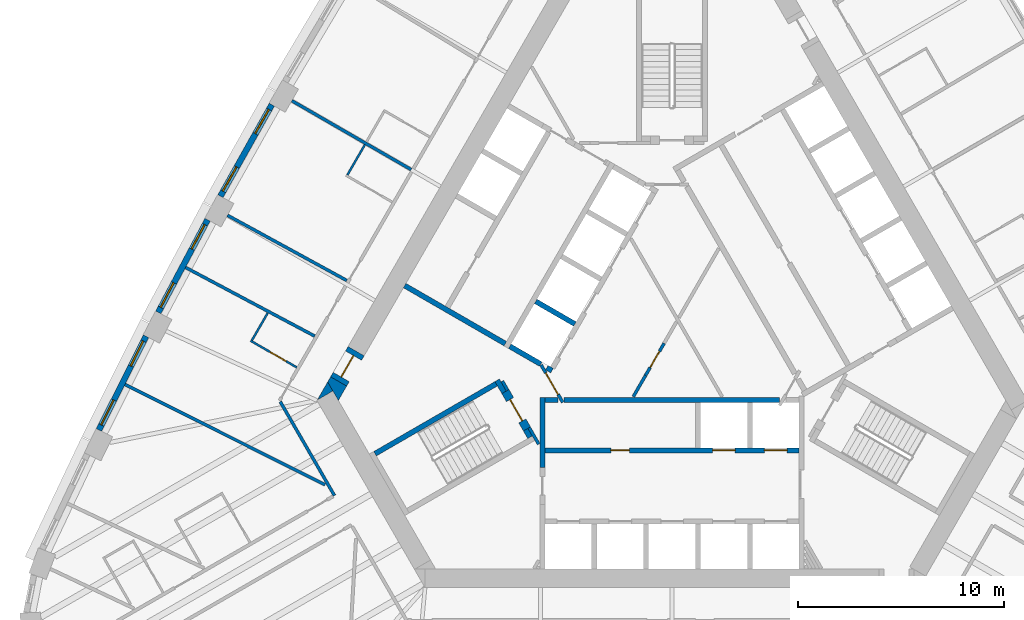
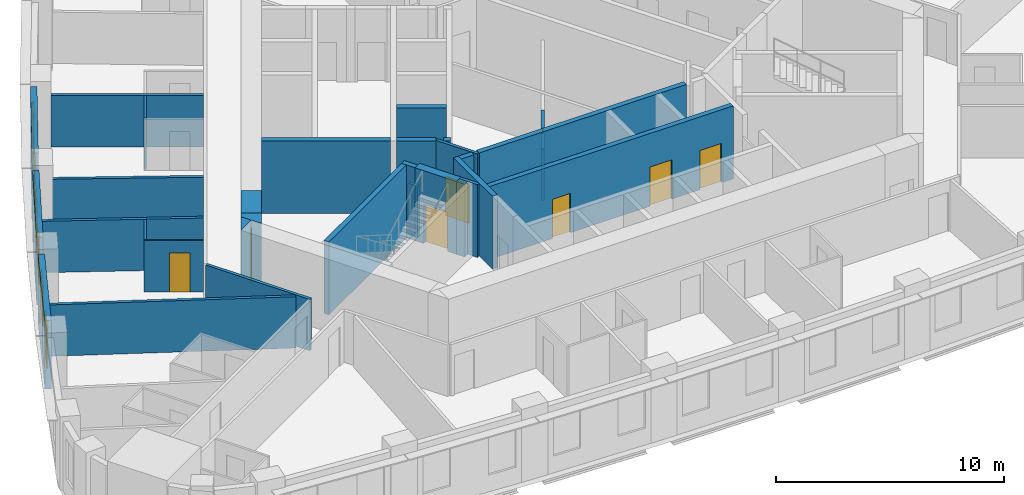
# One storey, part 5 of 13: 31 walls, 8 doors, 6 windows, 14 openings.
"""IFC4 building model written with IfcOpenShell, lengths in metres."""

import ifcopenshell
import ifcopenshell.guid

model = None  # the IFC model being written
_history = None  # IfcOwnerHistory: only IFC2X3 demands one
_inside = {}  # id of a spatial element -> (the spatial element, [elements in it])
_under = {}  # id of a project, library or spatial element -> (it, [spatial elements below it])
_declared = {}  # id of a project -> (the project, [libraries it declares])
_typed = {}  # id of a type object -> (the type object, [elements of that type])
_made_of = {}  # id of a material, layer set ... -> (it, [elements and type objects made of it])


def new_model(schema):
    """Start an empty IFC model of exactly this schema.

    Asked for "IFC4X3", IfcOpenShell would pick the latest addendum, in which some entities
    have other attributes; the version numbers below select the first issue.
    IFC2X3 requires an IfcOwnerHistory on every rooted entity: one is made here for all.
    """
    global model, _history
    if schema == "IFC4X3":
        model = ifcopenshell.file(schema_version=(4, 3, 0, 0))
    else:
        model = ifcopenshell.file(schema=schema)
    _inside.clear()
    _under.clear()
    _declared.clear()
    _typed.clear()
    _made_of.clear()
    _history = None
    if model.schema == "IFC2X3":
        org = make("IfcOrganization", Name="unknown")
        user = make(
            "IfcPersonAndOrganization",
            ThePerson=make("IfcPerson", FamilyName="unknown"),
            TheOrganization=org,
        )
        app = make(
            "IfcApplication",
            ApplicationDeveloper=org,
            Version="unknown",
            ApplicationFullName="unknown",
            ApplicationIdentifier="unknown",
        )
        _history = make(
            "IfcOwnerHistory",
            OwningUser=user,
            OwningApplication=app,
            ChangeAction="ADDED",
            CreationDate=0,
        )
    return model


def make(cls, **values):
    """One entity of the class cls with the attributes given. An attribute that is None is left unset."""
    return model.create_entity(
        cls, **{name: value for name, value in values.items() if value is not None}
    )


def rooted(cls, **values):
    """An entity with a GlobalId (a new one), such as an element, a storey or a relation."""
    return make(cls, GlobalId=ifcopenshell.guid.new(), OwnerHistory=_history, **values)


def si_unit(unit_type, name, prefix=None):
    """IfcSIUnit, for example si_unit("LENGTHUNIT", "METRE", prefix="MILLI")."""
    return make("IfcSIUnit", UnitType=unit_type, Prefix=prefix, Name=name)


def assignment(units):
    """IfcUnitAssignment: the units of a project."""
    return None if units is None else make("IfcUnitAssignment", Units=units)


def point(xyz):
    """IfcCartesianPoint."""
    return None if xyz is None else make("IfcCartesianPoint", Coordinates=xyz)


def direction(xyz):
    """IfcDirection."""
    return None if xyz is None else make("IfcDirection", DirectionRatios=xyz)


def frame(location, z_axis=None, x_axis=None):
    """IfcAxis2Placement3D, a coordinate frame: its origin and axes. An axis left out is left unset."""
    return make(
        "IfcAxis2Placement3D",
        Location=point(location),
        Axis=direction(z_axis),
        RefDirection=direction(x_axis),
    )


def frame_2d(location, x_axis=None):
    """IfcAxis2Placement2D, a coordinate frame in the plane: its origin and x axis."""
    return make(
        "IfcAxis2Placement2D", Location=point(location), RefDirection=direction(x_axis)
    )


def origin():
    """The frame at (0, 0, 0) with its axes left unset."""
    return frame((0.0, 0.0, 0.0))


def place(relative_to, where):
    """IfcLocalPlacement: puts the frame where relative to a parent placement (None: the world)."""
    return make(
        "IfcLocalPlacement", PlacementRelTo=relative_to, RelativePlacement=where
    )


def context(
    kind, dimensions, precision=None, world=None, true_north=None, identifier=None
):
    """IfcGeometricRepresentationContext, for example the 3D "Model" context."""
    return make(
        "IfcGeometricRepresentationContext",
        ContextIdentifier=identifier,
        ContextType=kind,
        CoordinateSpaceDimension=dimensions,
        Precision=precision,
        WorldCoordinateSystem=world,
        TrueNorth=true_north,
    )


def subcontext(parent, identifier, kind, view, scale=None):
    """IfcGeometricRepresentationSubContext, for example "Body" below "Model"."""
    return make(
        "IfcGeometricRepresentationSubContext",
        ContextIdentifier=identifier,
        ContextType=kind,
        ParentContext=parent,
        TargetScale=scale,
        TargetView=view,
    )


def project(units=None, contexts=None):
    """IfcProject with its units and contexts."""
    return rooted(
        "IfcProject",
        Name="project",
        RepresentationContexts=contexts,
        UnitsInContext=assignment(units),
    )


def spatial(cls, under=None, at=None, **own):
    """A site, building, storey or space (cls), placed at a placement, below another one or the project."""
    s = rooted(cls, ObjectPlacement=at, **own)
    if under is not None:
        _under.setdefault(under.id(), (under, []))[1].append(s)
    return s


def polyline(points):
    """IfcPolyline through the points."""
    return make("IfcPolyline", Points=[point(p) for p in points])


def profile(cls, at=None, kind="AREA", **sizes):
    """A parametric profile (cls). Its sizes go by their IFC names, for example OverallWidth=200.0."""
    return make(cls, ProfileType=kind, Position=at, **sizes)


def rectangle(**sizes):
    """IfcRectangleProfileDef."""
    return profile("IfcRectangleProfileDef", **sizes)


def outline(outer, holes=None, kind="AREA"):
    """IfcArbitraryClosedProfileDef: a profile drawn as a closed curve; with holes, ...WithVoids."""
    if holes is None:
        return make("IfcArbitraryClosedProfileDef", ProfileType=kind, OuterCurve=outer)
    return make(
        "IfcArbitraryProfileDefWithVoids",
        ProfileType=kind,
        OuterCurve=outer,
        InnerCurves=holes,
    )


def extrude(swept, where, along, depth):
    """IfcExtrudedAreaSolid: the profile swept, set in the frame where, extruded along a direction by depth."""
    return make(
        "IfcExtrudedAreaSolid",
        SweptArea=swept,
        Position=where,
        ExtrudedDirection=direction(along),
        Depth=depth,
    )


def shape(context_of_items, identifier, shape_type, items):
    """IfcShapeRepresentation: the items that make up one representation, for example the "Body"."""
    return make(
        "IfcShapeRepresentation",
        ContextOfItems=context_of_items,
        RepresentationIdentifier=identifier,
        RepresentationType=shape_type,
        Items=items,
    )


def material(Name=None, Category=None):
    """IfcMaterial."""
    return make("IfcMaterial", Name=Name, Category=Category)


def layer(
    of_material, thickness, ventilated=None, Name=None, Category=None, Priority=None
):
    """IfcMaterialLayer: one layer of a wall or slab, of a material (None: an air gap)."""
    return make(
        "IfcMaterialLayer",
        Material=of_material,
        LayerThickness=thickness,
        IsVentilated=ventilated,
        Name=Name,
        Category=Category,
        Priority=Priority,
    )


def layer_set(layers, Name=None):
    """IfcMaterialLayerSet."""
    return make("IfcMaterialLayerSet", MaterialLayers=layers, LayerSetName=Name)


def made_of(thing, what):
    """Note that an element or type object is made of a material, layer set ...; save() writes the relation."""
    if what is not None:
        _made_of.setdefault(what.id(), (what, []))[1].append(thing)
    return thing


def type_object(cls, material=None, **own):
    """A type object (cls), such as IfcWallType, which elements share."""
    return made_of(rooted(cls, **own), material)


def element(
    cls,
    number,
    at=None,
    inside=None,
    cuts=None,
    type_object=None,
    material=None,
    context=None,
    identifier="Body",
    shape_type=None,
    held_by="IfcProductDefinitionShape",
    body=None,
    shapes=None,
    **own,
):
    """One element of the class cls, such as IfcWall. Its Tag is "e" and its number.

    at: its placement. inside: the storey or other place that contains it. cuts: it is an
    opening in that element (IfcRelVoidsElement). A single representation is given by context,
    identifier, shape_type and body (its items); several are given by shapes. held_by: the class
    of the entity that holds the representations. save() writes the other relations.
    """
    e = rooted(cls, Tag="e%d" % number, ObjectPlacement=at, **own)
    if body is not None:
        shapes = [shape(context, identifier, shape_type, body)]
    if shapes is not None:
        e.Representation = make(held_by, Representations=shapes)
    if inside is not None:
        _inside.setdefault(inside.id(), (inside, []))[1].append(e)
    if cuts is not None:
        rooted(
            "IfcRelVoidsElement", RelatingBuildingElement=cuts, RelatedOpeningElement=e
        )
    if type_object is not None:
        _typed.setdefault(type_object.id(), (type_object, []))[1].append(e)
    return made_of(e, material)


def fill(opening, filler):
    """IfcRelFillsElement: the door or window that sits in an opening."""
    return rooted(
        "IfcRelFillsElement",
        RelatingOpeningElement=opening,
        RelatedBuildingElement=filler,
    )


def aggregate(whole, parts):
    """IfcRelAggregates: a whole, such as a stair, and the parts it consists of."""
    return rooted("IfcRelAggregates", RelatingObject=whole, RelatedObjects=parts)


def save(model, path):
    """Write the relations noted so far, then the file.

    IfcRelAggregates (storeys below a building ...), IfcRelContainedInSpatialStructure (elements
    in a storey), IfcRelDefinesByType, IfcRelAssociatesMaterial and IfcRelDeclares: one each for
    every whole, place, type object, material and project.
    """
    for whole, parts in _under.values():
        aggregate(whole, parts)
    for where, things in _inside.values():
        rooted(
            "IfcRelContainedInSpatialStructure",
            RelatedElements=things,
            RelatingStructure=where,
        )
    for kind, things in _typed.values():
        rooted("IfcRelDefinesByType", RelatedObjects=things, RelatingType=kind)
    for what, things in _made_of.values():
        rooted("IfcRelAssociatesMaterial", RelatedObjects=things, RelatingMaterial=what)
    for by, libraries in _declared.values():
        rooted("IfcRelDeclares", RelatingContext=by, RelatedDefinitions=libraries)
    model.write(path)


model = new_model("IFC4")

# Units and contexts
model_context = context("Model", 3, precision=1e-05, world=origin(), true_north=direction((0.0, 1.0)))
body_context = subcontext(model_context, "Body", "Model", "MODEL_VIEW")
ifc_project = project(units=[si_unit("LENGTHUNIT", "METRE"), si_unit("AREAUNIT", "SQUARE_METRE"), si_unit("VOLUMEUNIT", "CUBIC_METRE"), si_unit("PLANEANGLEUNIT", "RADIAN"), si_unit("MASSUNIT", "GRAM", prefix="KILO")], contexts=[model_context])

# Site, building, storey
site_placement = place(None, origin())
site = spatial("IfcSite", under=ifc_project, at=site_placement, CompositionType="ELEMENT")
building_placement = place(site_placement, origin())
building = spatial("IfcBuilding", under=site, at=building_placement, Name="Mestral Congress Tower", CompositionType="ELEMENT")
storey_placement = place(building_placement, frame((0.0, 0.0, 114.89990234375)))
storey = spatial("IfcBuildingStorey", under=building, at=storey_placement, Name="L27", CompositionType="ELEMENT", Elevation=114.89990234375)

# Walls
ifc_material_1 = material(Name="Fire-rated board partition")
ifc_layer_1 = layer(ifc_material_1, 0.14990234375)
ifc_layer_set_1 = layer_set([ifc_layer_1], Name="Fire-rated board partition")
wall_type_1 = type_object("IfcWallType", Name="Core partition 150", PredefinedType="PARTITIONING", material=ifc_layer_set_1)
wall_1_placement = place(storey_placement, frame((-1.886962890625, -3.71826171875, 0.0), z_axis=(0.0, 0.0, 1.0), x_axis=(0.500057179532, 0.865992388649, 0.0)))
element("IfcWall", 1, at=wall_1_placement, inside=storey, type_object=wall_type_1, Name="L27 core wall", PredefinedType="PARTITIONING", context=body_context, shape_type="SweptSolid", body=[
    extrude(rectangle(XDim=1.199462890625, YDim=0.14990234375, at=frame_2d((0.599609375, 0.0))), origin(), (0.0, 0.0, 1.0), 2.75),
])
wall_2_placement = place(storey_placement, frame((-8.251953125, -2.958251953125, 0.0), z_axis=(0.0, 0.0, 1.0), x_axis=(0.500174715838, -0.865924508047, 0.0)))
element("IfcWall", 2, at=wall_2_placement, inside=storey, type_object=wall_type_1, Name="L27 core wall", PredefinedType="PARTITIONING", context=body_context, shape_type="SweptSolid", body=[
    extrude(rectangle(XDim=0.513916015625, YDim=0.14990234375, at=frame_2d((0.2568359375, 0.0))), origin(), (0.0, 0.0, 1.0), 2.75),
])

# Wall, opening, door
wall_3_placement = place(storey_placement, frame((-1.287109375, -2.679443359375, 0.0), z_axis=(0.0, 0.0, 1.0), x_axis=(0.499961193289, 0.866047807691, 0.0)))
wall_3 = element("IfcWall", 3, at=wall_3_placement, inside=storey, type_object=wall_type_1, Name="L27 door wall", PredefinedType="PARTITIONING", context=body_context, shape_type="SweptSolid", body=[
    extrude(rectangle(XDim=1.800048828125, YDim=0.14990234375, at=frame_2d((0.89990234375, 0.0))), origin(), (0.0, 0.0, 1.0), 2.75),
])
opening_1_placement = place(wall_3_placement, frame((0.449951171875, 0.0, 0.0)))
opening_1 = element("IfcOpeningElement", 4, at=opening_1_placement, cuts=wall_3, Name="Opening SD-HUB2", PredefinedType="OPENING", context=body_context, shape_type="SweptSolid", body=[
    extrude(rectangle(XDim=0.89990234375, YDim=2.10009765625, at=frame_2d((0.449951171875, 1.050048828125))), frame((0.0, 0.0849609375, 0.0), z_axis=(0.0, -1.0, 0.0), x_axis=(1.0, 0.0, 0.0)), (0.0, 0.0, 1.0), 0.169921875),
])
ifc_material_2 = material(Name="Fire-rated steel door set", Category="steel")
door_type_1 = type_object("IfcDoorType", Name="Core door SR 900x2100", OperationType="SINGLE_SWING_LEFT", PredefinedType="DOOR", material=ifc_material_2)
door_1_placement = place(opening_1_placement, origin())
door_1 = element("IfcDoor", 5, at=door_1_placement, inside=storey, type_object=door_type_1, Name="Door SD-HUB2", OperationType="SINGLE_SWING_LEFT", OverallHeight=2.10009765625, OverallWidth=0.89990234375, PredefinedType="DOOR", context=body_context, shape_type="SweptSolid", body=[
    extrude(rectangle(XDim=0.89990234375, YDim=2.10009765625, at=frame_2d((0.449951171875, 1.050048828125))), frame((0.0, 0.02490234375, 0.0), z_axis=(0.0, -1.0, 0.0), x_axis=(1.0, 0.0, 0.0)), (0.0, 0.0, 1.0), 0.050048828125),
])
fill(opening_1, door_1)

# Walls
ifc_material_3 = material(Name="Concrete C60/75", Category="concrete")
ifc_layer_2 = layer(ifc_material_3, 0.89990234375)
ifc_layer_set_2 = layer_set([ifc_layer_2], Name="Concrete C60/75")
wall_type_2 = type_object("IfcWallType", Name="Core wall RC 900", PredefinedType="SOLIDWALL", material=ifc_layer_set_2)
placement = place(storey_placement, origin())
element("IfcWall", 6, at=placement, inside=storey, type_object=wall_type_2, Name="L27 core wall", PredefinedType="SOLIDWALL", context=body_context, shape_type="SweptSolid", body=[
    extrude(outline(polyline([(-16.4892578125, -3.43994140625), (-17.251220703125, -3.8798828125), (-16.7431640625, -3.0), (-16.4892578125, -3.43994140625)])), origin(), (0.0, 0.0, 1.0), 3.900146484375),
])
element("IfcWall", 7, at=placement, inside=storey, type_object=wall_type_2, Name="L27 core wall", PredefinedType="SOLIDWALL", context=body_context, shape_type="SweptSolid", body=[
    extrude(outline(polyline([(-15.81982421875, -3.20068359375), (-16.223388671875, -3.89990234375), (-16.7431640625, -3.0), (-16.599365234375, -2.750732421875), (-15.81982421875, -3.20068359375)])), origin(), (0.0, 0.0, 1.0), 3.900146484375),
])

# Wall, opening, door
wall_6_placement = place(storey_placement, frame((-16.20947265625, -2.9755859375, 0.0), z_axis=(0.0, 0.0, 1.0), x_axis=(0.499954529098, 0.86605165483, 0.0)))
wall_6 = element("IfcWall", 8, at=wall_6_placement, inside=storey, type_object=wall_type_2, Name="L27 door wall", PredefinedType="SOLIDWALL", context=body_context, shape_type="SweptSolid", body=[
    extrude(rectangle(XDim=1.699951171875, YDim=0.89990234375, at=frame_2d((0.85009765625, 0.0))), origin(), (0.0, 0.0, 1.0), 3.900146484375),
])
opening_2_placement = place(wall_6_placement, frame((0.25, 0.0, 0.0)))
opening_2 = element("IfcOpeningElement", 9, at=opening_2_placement, cuts=wall_6, Name="Opening XD3", PredefinedType="OPENING", context=body_context, shape_type="SweptSolid", body=[
    extrude(rectangle(XDim=1.199951171875, YDim=2.10009765625, at=frame_2d((0.60009765625, 1.050048828125))), frame((0.0, 0.4599609375, 0.0), z_axis=(0.0, -1.0, 0.0), x_axis=(1.0, 0.0, 0.0)), (0.0, 0.0, 1.0), 0.919921875),
])
door_type_2 = type_object("IfcDoorType", Name="Core door XD 1200x2100", OperationType="SINGLE_SWING_LEFT", PredefinedType="DOOR", material=ifc_material_2)
door_2_placement = place(opening_2_placement, origin())
door_2 = element("IfcDoor", 10, at=door_2_placement, inside=storey, type_object=door_type_2, Name="Door XD3", OperationType="SINGLE_SWING_LEFT", OverallHeight=2.10009765625, OverallWidth=1.199951171875, PredefinedType="DOOR", context=body_context, shape_type="SweptSolid", body=[
    extrude(rectangle(XDim=1.199951171875, YDim=2.10009765625, at=frame_2d((0.60009765625, 1.050048828125))), frame((0.0, 0.02490234375, 0.0), z_axis=(0.0, -1.0, 0.0), x_axis=(1.0, 0.0, 0.0)), (0.0, 0.0, 1.0), 0.050048828125),
])
fill(opening_2, door_2)

# Wall, openings, windows
ifc_material_4 = material(Name="Precast concrete C40/50 with limestone facing", Category="masonry")
ifc_layer_3 = layer(ifc_material_4, 0.2900390625)
ifc_layer_set_3 = layer_set([ifc_layer_3], Name="Precast concrete C40/50 with limestone facing")
wall_type_3 = type_object("IfcWallType", Name="Facade stone wall 290", PredefinedType="SOLIDWALL", material=ifc_layer_set_3)
wall_7_placement = place(storey_placement, frame((-19.4580078125, 10.479736328125, 0.0), z_axis=(0.0, 0.0, 1.0), x_axis=(-0.48983164787, -0.87181704316, 0.0)))
wall_7 = element("IfcWall", 11, at=wall_7_placement, inside=storey, type_object=wall_type_3, Name="Facade wall F2-04", PredefinedType="SOLIDWALL", context=body_context, shape_type="SweptSolid", body=[
    extrude(rectangle(XDim=5.100341796875, YDim=0.2900390625, at=frame_2d((2.55029296875, 0.0))), origin(), (0.0, 0.0, 1.0), 3.650146484375),
])
opening_3_placement = place(wall_7_placement, frame((0.2724609375, 0.0, 0.89990234375)))
opening_3 = element("IfcOpeningElement", 12, at=opening_3_placement, cuts=wall_7, Name="Opening W2", PredefinedType="OPENING", context=body_context, shape_type="SweptSolid", body=[
    extrude(rectangle(XDim=1.35009765625, YDim=2.14990234375, at=frame_2d((0.675048828125, 1.074951171875))), frame((0.0, 0.155029296875, 0.0), z_axis=(0.0, -1.0, 0.0), x_axis=(1.0, 0.0, 0.0)), (0.0, 0.0, 1.0), 0.31005859375),
])
opening_4_placement = place(wall_7_placement, frame((3.477783203125, 0.0, 0.89990234375)))
opening_4 = element("IfcOpeningElement", 13, at=opening_4_placement, cuts=wall_7, Name="Opening W2", PredefinedType="OPENING", context=body_context, shape_type="SweptSolid", body=[
    extrude(rectangle(XDim=1.35009765625, YDim=2.14990234375, at=frame_2d((0.675048828125, 1.074951171875))), frame((0.0, 0.155029296875, 0.0), z_axis=(0.0, -1.0, 0.0), x_axis=(1.0, 0.0, 0.0)), (0.0, 0.0, 1.0), 0.31005859375),
])
ifc_material_5 = material(Name="Clear low-emissivity double glazing", Category="glass")
window_type = type_object("IfcWindowType", Name="Facade punched window 1350 x 2150 sill 900", PartitioningType="DOUBLE_PANEL_VERTICAL", PredefinedType="WINDOW", material=ifc_material_5)
window_1_placement = place(opening_3_placement, origin())
window_1 = element("IfcWindow", 14, at=window_1_placement, inside=storey, type_object=window_type, Name="Window F2-04a", OverallHeight=2.14990234375, OverallWidth=1.35009765625, PartitioningType="DOUBLE_PANEL_VERTICAL", PredefinedType="WINDOW", context=body_context, shape_type="SweptSolid", body=[
    extrude(rectangle(XDim=1.35009765625, YDim=2.14990234375, at=frame_2d((0.675048828125, 1.074951171875))), frame((0.0, 0.01513671875, 0.0), z_axis=(0.0, -1.0, 0.0), x_axis=(1.0, 0.0, 0.0)), (0.0, 0.0, 1.0), 0.06005859375),
])
fill(opening_3, window_1)
window_2_placement = place(opening_4_placement, origin())
window_2 = element("IfcWindow", 15, at=window_2_placement, inside=storey, type_object=window_type, Name="Window F2-04b", OverallHeight=2.14990234375, OverallWidth=1.35009765625, PartitioningType="DOUBLE_PANEL_VERTICAL", PredefinedType="WINDOW", context=body_context, shape_type="SweptSolid", body=[
    extrude(rectangle(XDim=1.35009765625, YDim=2.14990234375, at=frame_2d((0.675048828125, 1.074951171875))), frame((0.0, 0.01513671875, 0.0), z_axis=(0.0, -1.0, 0.0), x_axis=(1.0, 0.0, 0.0)), (0.0, 0.0, 1.0), 0.06005859375),
])
fill(opening_4, window_2)

wall_8_placement = place(storey_placement, frame((-22.5830078125, 4.88671875, 0.0), z_axis=(0.0, 0.0, 1.0), x_axis=(-0.469323203119, -0.883026461106, 0.0)))
wall_8 = element("IfcWall", 16, at=wall_8_placement, inside=storey, type_object=wall_type_3, Name="Facade wall F2-05", PredefinedType="SOLIDWALL", context=body_context, shape_type="SweptSolid", body=[
    extrude(rectangle(XDim=5.1005859375, YDim=0.2900390625, at=frame_2d((2.55029296875, 0.0))), origin(), (0.0, 0.0, 1.0), 3.650146484375),
])
opening_5_placement = place(wall_8_placement, frame((0.272705078125, 0.0, 0.89990234375)))
opening_5 = element("IfcOpeningElement", 17, at=opening_5_placement, cuts=wall_8, Name="Opening W2", PredefinedType="OPENING", context=body_context, shape_type="SweptSolid", body=[
    extrude(rectangle(XDim=1.35009765625, YDim=2.14990234375, at=frame_2d((0.675048828125, 1.074951171875))), frame((0.0, 0.155029296875, 0.0), z_axis=(0.0, -1.0, 0.0), x_axis=(1.0, 0.0, 0.0)), (0.0, 0.0, 1.0), 0.31005859375),
])
opening_6_placement = place(wall_8_placement, frame((3.477783203125, 0.0, 0.89990234375)))
opening_6 = element("IfcOpeningElement", 18, at=opening_6_placement, cuts=wall_8, Name="Opening W2", PredefinedType="OPENING", context=body_context, shape_type="SweptSolid", body=[
    extrude(rectangle(XDim=1.35009765625, YDim=2.14990234375, at=frame_2d((0.675048828125, 1.074951171875))), frame((0.0, 0.155029296875, 0.0), z_axis=(0.0, -1.0, 0.0), x_axis=(1.0, 0.0, 0.0)), (0.0, 0.0, 1.0), 0.31005859375),
])
window_3_placement = place(opening_5_placement, origin())
window_3 = element("IfcWindow", 19, at=window_3_placement, inside=storey, type_object=window_type, Name="Window F2-05a", OverallHeight=2.14990234375, OverallWidth=1.35009765625, PartitioningType="DOUBLE_PANEL_VERTICAL", PredefinedType="WINDOW", context=body_context, shape_type="SweptSolid", body=[
    extrude(rectangle(XDim=1.35009765625, YDim=2.14990234375, at=frame_2d((0.675048828125, 1.074951171875))), frame((0.0, 0.01513671875, 0.0), z_axis=(0.0, -1.0, 0.0), x_axis=(1.0, 0.0, 0.0)), (0.0, 0.0, 1.0), 0.06005859375),
])
fill(opening_5, window_3)
window_4_placement = place(opening_6_placement, origin())
window_4 = element("IfcWindow", 20, at=window_4_placement, inside=storey, type_object=window_type, Name="Window F2-05b", OverallHeight=2.14990234375, OverallWidth=1.35009765625, PartitioningType="DOUBLE_PANEL_VERTICAL", PredefinedType="WINDOW", context=body_context, shape_type="SweptSolid", body=[
    extrude(rectangle(XDim=1.35009765625, YDim=2.14990234375, at=frame_2d((0.675048828125, 1.074951171875))), frame((0.0, 0.01513671875, 0.0), z_axis=(0.0, -1.0, 0.0), x_axis=(1.0, 0.0, 0.0)), (0.0, 0.0, 1.0), 0.06005859375),
])
fill(opening_6, window_4)

wall_9_placement = place(storey_placement, frame((-25.576416015625, -0.77783203125, 0.0), z_axis=(0.0, 0.0, 1.0), x_axis=(-0.448534297211, -0.893765620409, 0.0)))
wall_9 = element("IfcWall", 21, at=wall_9_placement, inside=storey, type_object=wall_type_3, Name="Facade wall F2-06", PredefinedType="SOLIDWALL", context=body_context, shape_type="SweptSolid", body=[
    extrude(rectangle(XDim=5.10009765625, YDim=0.2900390625, at=frame_2d((2.550048828125, 0.0))), origin(), (0.0, 0.0, 1.0), 3.650146484375),
])
opening_7_placement = place(wall_9_placement, frame((0.2724609375, 0.0, 0.89990234375)))
opening_7 = element("IfcOpeningElement", 22, at=opening_7_placement, cuts=wall_9, Name="Opening W2", PredefinedType="OPENING", context=body_context, shape_type="SweptSolid", body=[
    extrude(rectangle(XDim=1.35009765625, YDim=2.14990234375, at=frame_2d((0.675048828125, 1.074951171875))), frame((0.0, 0.155029296875, 0.0), z_axis=(0.0, -1.0, 0.0), x_axis=(1.0, 0.0, 0.0)), (0.0, 0.0, 1.0), 0.31005859375),
])
opening_8_placement = place(wall_9_placement, frame((3.477783203125, 0.0, 0.89990234375)))
opening_8 = element("IfcOpeningElement", 23, at=opening_8_placement, cuts=wall_9, Name="Opening W2", PredefinedType="OPENING", context=body_context, shape_type="SweptSolid", body=[
    extrude(rectangle(XDim=1.35009765625, YDim=2.14990234375, at=frame_2d((0.675048828125, 1.074951171875))), frame((0.0, 0.155029296875, 0.0), z_axis=(0.0, -1.0, 0.0), x_axis=(1.0, 0.0, 0.0)), (0.0, 0.0, 1.0), 0.31005859375),
])
window_5_placement = place(opening_7_placement, origin())
window_5 = element("IfcWindow", 24, at=window_5_placement, inside=storey, type_object=window_type, Name="Window F2-06a", OverallHeight=2.14990234375, OverallWidth=1.35009765625, PartitioningType="DOUBLE_PANEL_VERTICAL", PredefinedType="WINDOW", context=body_context, shape_type="SweptSolid", body=[
    extrude(rectangle(XDim=1.35009765625, YDim=2.14990234375, at=frame_2d((0.675048828125, 1.074951171875))), frame((0.0, 0.01513671875, 0.0), z_axis=(0.0, -1.0, 0.0), x_axis=(1.0, 0.0, 0.0)), (0.0, 0.0, 1.0), 0.06005859375),
])
fill(opening_7, window_5)
window_6_placement = place(opening_8_placement, origin())
window_6 = element("IfcWindow", 25, at=window_6_placement, inside=storey, type_object=window_type, Name="Window F2-06b", OverallHeight=2.14990234375, OverallWidth=1.35009765625, PartitioningType="DOUBLE_PANEL_VERTICAL", PredefinedType="WINDOW", context=body_context, shape_type="SweptSolid", body=[
    extrude(rectangle(XDim=1.35009765625, YDim=2.14990234375, at=frame_2d((0.675048828125, 1.074951171875))), frame((0.0, 0.01513671875, 0.0), z_axis=(0.0, -1.0, 0.0), x_axis=(1.0, 0.0, 0.0)), (0.0, 0.0, 1.0), 0.06005859375),
])
fill(opening_8, window_6)

# Wall
ifc_material_6 = material(Name="Gypsum board partition on metal studs with mineral wool", Category="composite")
ifc_layer_4 = layer(ifc_material_6, 0.10009765625)
ifc_layer_set_4 = layer_set([ifc_layer_4], Name="Gypsum board partition on metal studs with mineral wool")
wall_type_4 = type_object("IfcWallType", Name="Hotel partition wall 100", PredefinedType="PARTITIONING", material=ifc_layer_set_4)
wall_10_placement = place(storey_placement, frame((-15.783447265625, 7.062255859375, 0.0), z_axis=(0.0, 0.0, 1.0), x_axis=(0.499954529098, 0.86605165483, 0.0)))
element("IfcWall", 26, at=wall_10_placement, inside=storey, type_object=wall_type_4, Name="L27-h-pod21b", PredefinedType="PARTITIONING", context=body_context, shape_type="SweptSolid", body=[
    extrude(rectangle(XDim=1.699951171875, YDim=0.10009765625, at=frame_2d((0.85009765625, 0.0))), origin(), (0.0, 0.0, 1.0), 2.75),
])

# Wall, opening, door
wall_11_placement = place(storey_placement, frame((-20.492431640625, -0.994140625, 0.0), z_axis=(0.0, 0.0, 1.0), x_axis=(0.865997922154, -0.500047596559, 0.0)))
wall_11 = element("IfcWall", 27, at=wall_11_placement, inside=storey, type_object=wall_type_4, Name="L27-h-pod23a", PredefinedType="PARTITIONING", context=body_context, shape_type="SweptSolid", body=[
    extrude(rectangle(XDim=2.599853515625, YDim=0.10009765625, at=frame_2d((1.2998046875, 0.0))), origin(), (0.0, 0.0, 1.0), 2.75),
])
opening_9_placement = place(wall_11_placement, frame((1.10009765625, 0.0, 0.0)))
opening_9 = element("IfcOpeningElement", 28, at=opening_9_placement, cuts=wall_11, Name="Opening H08-041", PredefinedType="OPENING", context=body_context, shape_type="SweptSolid", body=[
    extrude(rectangle(XDim=0.89990234375, YDim=2.10009765625, at=frame_2d((0.449951171875, 1.050048828125))), frame((0.0, 0.06005859375, 0.0), z_axis=(0.0, -1.0, 0.0), x_axis=(1.0, 0.0, 0.0)), (0.0, 0.0, 1.0), 0.1201171875),
])
ifc_material_7 = material(Name="Timber veneer door leaf in timber frame", Category="wood")
door_type_3 = type_object("IfcDoorType", Name="Bathroom door 900", OperationType="SINGLE_SWING_LEFT", PredefinedType="DOOR", material=ifc_material_7)
door_3_placement = place(opening_9_placement, origin())
door_3 = element("IfcDoor", 29, at=door_3_placement, inside=storey, type_object=door_type_3, Name="L27-h-d041", OperationType="SINGLE_SWING_LEFT", OverallHeight=2.10009765625, OverallWidth=0.89990234375, PredefinedType="DOOR", context=body_context, shape_type="SweptSolid", body=[
    extrude(rectangle(XDim=0.89990234375, YDim=2.10009765625, at=frame_2d((0.449951171875, 1.050048828125))), frame((0.0, 0.02490234375, 0.0), z_axis=(0.0, -1.0, 0.0), x_axis=(1.0, 0.0, 0.0)), (0.0, 0.0, 1.0), 0.050048828125),
])
fill(opening_9, door_3)

# Walls
wall_12_placement = place(storey_placement, frame((-20.42431640625, -0.975830078125, 0.0), z_axis=(0.0, 0.0, 1.0), x_axis=(0.500086174919, 0.865975644955, 0.0)))
element("IfcWall", 30, at=wall_12_placement, inside=storey, type_object=wall_type_4, Name="L27-h-pod23b", PredefinedType="PARTITIONING", context=body_context, shape_type="SweptSolid", body=[
    extrude(rectangle(XDim=1.530029296875, YDim=0.10009765625, at=frame_2d((0.76513671875, 0.0))), origin(), (0.0, 0.0, 1.0), 2.75),
])
ifc_layer_5 = layer(ifc_material_6, 0.14990234375)
ifc_layer_set_5 = layer_set([ifc_layer_5], Name="Gypsum board partition on metal studs with mineral wool")
wall_type_5 = type_object("IfcWallType", Name="Hotel partition wall 150", PredefinedType="PARTITIONING", material=ifc_layer_set_5)
wall_13_placement = place(storey_placement, frame((-16.412353515625, -8.52294921875, 0.0), z_axis=(0.0, 0.0, 1.0), x_axis=(-0.500001929737, 0.866024289647, 0.0)))
element("IfcWall", 31, at=wall_13_placement, inside=storey, type_object=wall_type_5, Name="L27-h-cw09", PredefinedType="PARTITIONING", context=body_context, shape_type="SweptSolid", body=[
    extrude(rectangle(XDim=5.26806640625, YDim=0.14990234375, at=frame_2d((2.634033203125, 0.0))), origin(), (0.0, 0.0, 1.0), 2.75),
])
wall_14_placement = place(storey_placement, frame((-23.65185546875, 2.56689453125, 0.0), z_axis=(0.0, 0.0, 1.0), x_axis=(0.883019237957, -0.469336793144, 0.0)))
element("IfcWall", 32, at=wall_14_placement, inside=storey, type_object=wall_type_5, Name="L27-h-pw03", PredefinedType="PARTITIONING", context=body_context, shape_type="SweptSolid", body=[
    extrude(rectangle(XDim=7.11083984375, YDim=0.14990234375, at=frame_2d((3.555419921875, 0.0))), origin(), (0.0, 0.0, 1.0), 2.75),
])
wall_15_placement = place(storey_placement, frame((-26.590576171875, -3.1220703125, 0.0), z_axis=(0.0, 0.0, 1.0), x_axis=(0.893766213273, -0.448533115847, 0.0)))
element("IfcWall", 33, at=wall_15_placement, inside=storey, type_object=wall_type_5, Name="L27-h-pw04", PredefinedType="PARTITIONING", context=body_context, shape_type="SweptSolid", body=[
    extrude(rectangle(XDim=10.875244140625, YDim=0.14990234375, at=frame_2d((5.4375, 0.0))), origin(), (0.0, 0.0, 1.0), 2.75),
])
wall_16_placement = place(storey_placement, frame((-21.614013671875, 5.1015625, 0.0), z_axis=(0.0, 0.0, 1.0), x_axis=(0.877484555087, -0.479604895287, 0.0)))
element("IfcWall", 34, at=wall_16_placement, inside=storey, type_object=wall_type_5, Name="L27-h-pw05", PredefinedType="PARTITIONING", context=body_context, shape_type="SweptSolid", body=[
    extrude(rectangle(XDim=6.611083984375, YDim=0.14990234375, at=frame_2d((3.3056640625, 0.0))), origin(), (0.0, 0.0, 1.0), 2.75),
])
wall_17_placement = place(storey_placement, frame((-18.484130859375, 10.671875, 0.0), z_axis=(0.0, 0.0, 1.0), x_axis=(0.866019162053, -0.50001081084, 0.0)))
element("IfcWall", 35, at=wall_17_placement, inside=storey, type_object=wall_type_5, Name="L27-h-pw07", PredefinedType="PARTITIONING", context=body_context, shape_type="SweptSolid", body=[
    extrude(rectangle(XDim=6.693603515625, YDim=0.14990234375, at=frame_2d((3.3466796875, 0.0))), origin(), (0.0, 0.0, 1.0), 2.75),
])
ifc_layer_6 = layer(ifc_material_3, 0.25)
ifc_layer_set_6 = layer_set([ifc_layer_6], Name="Concrete C60/75")
wall_type_6 = type_object("IfcWallType", Name="Shaft wall RC 250", PredefinedType="SOLIDWALL", material=ifc_layer_set_6)
wall_18_placement = place(storey_placement, frame((-5.25927734375, -3.875, 0.0), z_axis=(0.0, 0.0, 1.0), x_axis=(1.0, 0.0, 0.0)))
element("IfcWall", 36, at=wall_18_placement, inside=storey, type_object=wall_type_6, Name="L27 core wall", PredefinedType="SOLIDWALL", context=body_context, shape_type="SweptSolid", body=[
    extrude(rectangle(XDim=10.488525390625, YDim=0.25, at=frame_2d((5.244140625, 0.0))), origin(), (0.0, 0.0, 1.0), 3.900146484375),
])
wall_19_placement = place(storey_placement, frame((-6.300048828125, -3.75, 0.0), z_axis=(0.0, 0.0, 1.0), x_axis=(0.0, -1.0, 0.0)))
element("IfcWall", 37, at=wall_19_placement, inside=storey, type_object=wall_type_6, Name="L27 core wall", PredefinedType="SOLIDWALL", context=body_context, shape_type="SweptSolid", body=[
    extrude(rectangle(XDim=3.404296875, YDim=0.25, at=frame_2d((1.7021484375, 0.0))), origin(), (0.0, 0.0, 1.0), 3.900146484375),
])
wall_20_placement = place(storey_placement, frame((-6.175048828125, -3.875, 0.0), z_axis=(0.0, 0.0, 1.0), x_axis=(1.0, 0.0, 0.0)))
element("IfcWall", 38, at=wall_20_placement, inside=storey, type_object=wall_type_6, Name="L27 core wall", PredefinedType="SOLIDWALL", context=body_context, shape_type="SweptSolid", body=[
    extrude(rectangle(XDim=0.63671875, YDim=0.25, at=frame_2d((0.318359375, 0.0))), origin(), (0.0, 0.0, 1.0), 3.900146484375),
])
wall_21_placement = place(storey_placement, frame((-4.72412109375, -0.182373046875, 0.0), z_axis=(0.0, 0.0, 1.0), x_axis=(-0.866008176907, 0.50002983664, 0.0)))
element("IfcWall", 39, at=wall_21_placement, inside=storey, type_object=wall_type_6, Name="L27 core wall", PredefinedType="SOLIDWALL", context=body_context, shape_type="SweptSolid", body=[
    extrude(rectangle(XDim=2.199951171875, YDim=0.25, at=frame_2d((1.10009765625, 0.0))), origin(), (0.0, 0.0, 1.0), 3.900146484375),
])
wall_22_placement = place(storey_placement, frame((-6.088134765625, -2.3046875, 0.0), z_axis=(0.0, 0.0, 1.0), x_axis=(0.866059450854, -0.499941024108, 0.0)))
element("IfcWall", 40, at=wall_22_placement, inside=storey, type_object=wall_type_6, Name="L27 core wall", PredefinedType="SOLIDWALL", context=body_context, shape_type="SweptSolid", body=[
    extrude(rectangle(XDim=0.2900390625, YDim=0.25, at=frame_2d((0.14501953125, 0.0))), origin(), (0.0, 0.0, 1.0), 3.900146484375),
])
wall_23_placement = place(storey_placement, frame((-7.889404296875, -1.2646484375, 0.0), z_axis=(0.0, 0.0, 1.0), x_axis=(0.865986741702, -0.500066958712, 0.0)))
element("IfcWall", 41, at=wall_23_placement, inside=storey, type_object=wall_type_6, Name="L27 core wall", PredefinedType="SOLIDWALL", context=body_context, shape_type="SweptSolid", body=[
    extrude(rectangle(XDim=1.738037109375, YDim=0.25, at=frame_2d((0.869140625, 0.0))), origin(), (0.0, 0.0, 1.0), 3.900146484375),
])
wall_24_placement = place(storey_placement, frame((-8.10595703125, -1.139892578125, 0.0), z_axis=(0.0, 0.0, 1.0), x_axis=(-0.866000643155, 0.500042884217, 0.0)))
element("IfcWall", 42, at=wall_24_placement, inside=storey, type_object=wall_type_6, Name="L27 core wall", PredefinedType="SOLIDWALL", context=body_context, shape_type="SweptSolid", body=[
    extrude(rectangle(XDim=5.64990234375, YDim=0.25, at=frame_2d((2.824951171875, 0.0))), origin(), (0.0, 0.0, 1.0), 3.900146484375),
])

# Wall, openings, doors
wall_25_placement = place(storey_placement, frame((-6.175048828125, -6.324951171875, 0.0), z_axis=(0.0, 0.0, 1.0), x_axis=(1.0, 0.0, 0.0)))
wall_25 = element("IfcWall", 43, at=wall_25_placement, inside=storey, type_object=wall_type_6, Name="L27 door wall", PredefinedType="SOLIDWALL", context=body_context, shape_type="SweptSolid", body=[
    extrude(rectangle(XDim=12.35009765625, YDim=0.25, at=frame_2d((6.175048828125, 0.0))), origin(), (0.0, 0.0, 1.0), 3.900146484375),
])
opening_10_placement = place(wall_25_placement, frame((3.205078125, 0.0, 0.0)))
opening_10 = element("IfcOpeningElement", 44, at=opening_10_placement, cuts=wall_25, Name="Opening SR-SOB1", PredefinedType="OPENING", context=body_context, shape_type="SweptSolid", body=[
    extrude(rectangle(XDim=0.89990234375, YDim=2.10009765625, at=frame_2d((0.449951171875, 1.050048828125))), frame((0.0, 0.135009765625, 0.0), z_axis=(0.0, -1.0, 0.0), x_axis=(1.0, 0.0, 0.0)), (0.0, 0.0, 1.0), 0.27001953125),
])
opening_11_placement = place(wall_25_placement, frame((8.14501953125, 0.0, 0.0)))
opening_11 = element("IfcOpeningElement", 45, at=opening_11_placement, cuts=wall_25, Name="Opening LD-SOB4", PredefinedType="OPENING", context=body_context, shape_type="SweptSolid", body=[
    extrude(rectangle(XDim=1.10009765625, YDim=2.10009765625, at=frame_2d((0.550048828125, 1.050048828125))), frame((0.0, 0.135009765625, 0.0), z_axis=(0.0, -1.0, 0.0), x_axis=(1.0, 0.0, 0.0)), (0.0, 0.0, 1.0), 0.27001953125),
])
opening_12_placement = place(wall_25_placement, frame((10.6650390625, 0.0, 0.0)))
opening_12 = element("IfcOpeningElement", 46, at=opening_12_placement, cuts=wall_25, Name="Opening LD-SOB5", PredefinedType="OPENING", context=body_context, shape_type="SweptSolid", body=[
    extrude(rectangle(XDim=1.10009765625, YDim=2.10009765625, at=frame_2d((0.550048828125, 1.050048828125))), frame((0.0, 0.135009765625, 0.0), z_axis=(0.0, -1.0, 0.0), x_axis=(1.0, 0.0, 0.0)), (0.0, 0.0, 1.0), 0.27001953125),
])
door_type_4 = type_object("IfcDoorType", Name="Core door LD 1100x2100", OperationType="DOUBLE_DOOR_SLIDING", PredefinedType="DOOR", material=ifc_material_2)
door_4_placement = place(opening_11_placement, origin())
door_4 = element("IfcDoor", 47, at=door_4_placement, inside=storey, type_object=door_type_4, Name="Door LD-SOB4", OperationType="DOUBLE_DOOR_SLIDING", OverallHeight=2.10009765625, OverallWidth=1.10009765625, PredefinedType="DOOR", context=body_context, shape_type="SweptSolid", body=[
    extrude(rectangle(XDim=1.10009765625, YDim=2.10009765625, at=frame_2d((0.550048828125, 1.050048828125))), frame((0.0, 0.02490234375, 0.0), z_axis=(0.0, -1.0, 0.0), x_axis=(1.0, 0.0, 0.0)), (0.0, 0.0, 1.0), 0.050048828125),
])
fill(opening_11, door_4)
door_5_placement = place(opening_12_placement, origin())
door_5 = element("IfcDoor", 48, at=door_5_placement, inside=storey, type_object=door_type_4, Name="Door LD-SOB5", OperationType="DOUBLE_DOOR_SLIDING", OverallHeight=2.10009765625, OverallWidth=1.10009765625, PredefinedType="DOOR", context=body_context, shape_type="SweptSolid", body=[
    extrude(rectangle(XDim=1.10009765625, YDim=2.10009765625, at=frame_2d((0.550048828125, 1.050048828125))), frame((0.0, 0.02490234375, 0.0), z_axis=(0.0, -1.0, 0.0), x_axis=(1.0, 0.0, 0.0)), (0.0, 0.0, 1.0), 0.050048828125),
])
fill(opening_12, door_5)
door_6_placement = place(opening_10_placement, origin())
door_6 = element("IfcDoor", 49, at=door_6_placement, inside=storey, type_object=door_type_1, Name="Door SR-SOB1", OperationType="SINGLE_SWING_LEFT", OverallHeight=2.10009765625, OverallWidth=0.89990234375, PredefinedType="DOOR", context=body_context, shape_type="SweptSolid", body=[
    extrude(rectangle(XDim=0.89990234375, YDim=2.10009765625, at=frame_2d((0.449951171875, 1.050048828125))), frame((0.0, 0.02490234375, 0.0), z_axis=(0.0, -1.0, 0.0), x_axis=(1.0, 0.0, 0.0)), (0.0, 0.0, 1.0), 0.050048828125),
])
fill(opening_10, door_6)

# Wall
ifc_layer_7 = layer(ifc_material_3, 0.14990234375)
ifc_layer_set_7 = layer_set([ifc_layer_7], Name="Concrete C60/75")
wall_type_7 = type_object("IfcWallType", Name="Shaft wall RC 250 door-wall 150", PredefinedType="SOLIDWALL", material=ifc_layer_set_7)
wall_26_placement = place(storey_placement, frame((-6.48046875, -6.026611328125, 0.0), z_axis=(0.0, 0.0, 1.0), x_axis=(-0.499927229454, 0.866067413802, 0.0)))
element("IfcWall", 50, at=wall_26_placement, inside=storey, type_object=wall_type_7, Name="L27 core wall", PredefinedType="PARTITIONING", context=body_context, shape_type="SweptSolid", body=[
    extrude(rectangle(XDim=0.928955078125, YDim=0.14990234375, at=frame_2d((0.46435546875, 0.0))), origin(), (0.0, 0.0, 1.0), 3.900146484375),
])

# Wall, opening, door
wall_27_placement = place(storey_placement, frame((-5.3173828125, -3.98974609375, 0.0), z_axis=(0.0, 0.0, 1.0), x_axis=(-0.500027713859, 0.866009402589, 0.0)))
wall_27 = element("IfcWall", 51, at=wall_27_placement, inside=storey, type_object=wall_type_7, Name="L27 door wall", PredefinedType="PARTITIONING", context=body_context, shape_type="SweptSolid", body=[
    extrude(rectangle(XDim=2.10009765625, YDim=0.14990234375, at=frame_2d((1.050048828125, 0.0))), origin(), (0.0, 0.0, 1.0), 3.900146484375),
])
opening_13_placement = place(wall_27_placement, frame((0.449951171875, 0.0, 0.0)))
opening_13 = element("IfcOpeningElement", 52, at=opening_13_placement, cuts=wall_27, Name="Opening CD3-FF", PredefinedType="OPENING", context=body_context, shape_type="SweptSolid", body=[
    extrude(rectangle(XDim=1.199951171875, YDim=2.10009765625, at=frame_2d((0.60009765625, 1.050048828125))), frame((0.0, 0.0849609375, 0.0), z_axis=(0.0, -1.0, 0.0), x_axis=(1.0, 0.0, 0.0)), (0.0, 0.0, 1.0), 0.169921875),
])
door_type_5 = type_object("IfcDoorType", Name="Core door CD 1200x2100", OperationType="SINGLE_SWING_LEFT", PredefinedType="DOOR", material=ifc_material_2)
door_7_placement = place(opening_13_placement, origin())
door_7 = element("IfcDoor", 53, at=door_7_placement, inside=storey, type_object=door_type_5, Name="Door CD3-FF", OperationType="SINGLE_SWING_LEFT", OverallHeight=2.10009765625, OverallWidth=1.199951171875, PredefinedType="DOOR", context=body_context, shape_type="SweptSolid", body=[
    extrude(rectangle(XDim=1.199951171875, YDim=2.10009765625, at=frame_2d((0.60009765625, 1.050048828125))), frame((0.0, 0.02490234375, 0.0), z_axis=(0.0, -1.0, 0.0), x_axis=(1.0, 0.0, 0.0)), (0.0, 0.0, 1.0), 0.050048828125),
])
fill(opening_13, door_7)

# Walls
ifc_layer_8 = layer(ifc_material_3, 0.25)
ifc_layer_set_8 = layer_set([ifc_layer_8], Name="Concrete C60/75")
wall_type_8 = type_object("IfcWallType", Name="Stair wall RC 250", PredefinedType="SOLIDWALL", material=ifc_layer_set_8)
wall_28_placement = place(storey_placement, frame((-14.43994140625, -6.489501953125, 0.0), z_axis=(0.0, 0.0, 1.0), x_axis=(0.866022966069, 0.500004222222, 0.0)))
element("IfcWall", 54, at=wall_28_placement, inside=storey, type_object=wall_type_8, Name="L27 core wall", PredefinedType="SOLIDWALL", context=body_context, shape_type="SweptSolid", body=[
    extrude(rectangle(XDim=6.80029296875, YDim=0.25, at=frame_2d((3.400146484375, 0.0))), origin(), (0.0, 0.0, 1.0), 3.900146484375),
])
wall_29_placement = place(storey_placement, frame((-8.167724609375, -3.503173828125, 0.0), z_axis=(0.0, 0.0, 1.0), x_axis=(-0.499952099219, 0.866053057547, 0.0)))
element("IfcWall", 55, at=wall_29_placement, inside=storey, type_object=wall_type_8, Name="L27 core wall", PredefinedType="SOLIDWALL", context=body_context, shape_type="SweptSolid", body=[
    extrude(rectangle(XDim=0.6748046875, YDim=0.25, at=frame_2d((0.33740234375, 0.0))), origin(), (0.0, 0.0, 1.0), 3.900146484375),
])
wall_30_placement = place(storey_placement, frame((-6.905029296875, -5.68994140625, 0.0), z_axis=(0.0, 0.0, 1.0), x_axis=(-0.500402024738, 0.865793170242, 0.0)))
element("IfcWall", 56, at=wall_30_placement, inside=storey, type_object=wall_type_8, Name="L27 core wall", PredefinedType="SOLIDWALL", context=body_context, shape_type="SweptSolid", body=[
    extrude(rectangle(XDim=0.425048828125, YDim=0.25, at=frame_2d((0.21240234375, 0.0))), origin(), (0.0, 0.0, 1.0), 3.900146484375),
])

# Wall, opening, door
ifc_layer_9 = layer(ifc_material_3, 0.39990234375)
ifc_layer_set_9 = layer_set([ifc_layer_9], Name="Concrete C60/75")
wall_type_9 = type_object("IfcWallType", Name="Stair wall RC 250 door-wall 400", PredefinedType="SOLIDWALL", material=ifc_layer_set_9)
wall_31_placement = place(storey_placement, frame((-8.102783203125, -3.4658203125, 0.0), z_axis=(0.0, 0.0, 1.0), x_axis=(0.500078061341, -0.865980330357, 0.0)))
wall_31 = element("IfcWall", 57, at=wall_31_placement, inside=storey, type_object=wall_type_9, Name="L27 door wall", PredefinedType="SOLIDWALL", context=body_context, shape_type="SweptSolid", body=[
    extrude(rectangle(XDim=2.099853515625, YDim=0.39990234375, at=frame_2d((1.0498046875, 0.0))), origin(), (0.0, 0.0, 1.0), 3.900146484375),
])
opening_14_placement = place(wall_31_placement, frame((0.449951171875, 0.0, 0.0)))
opening_14 = element("IfcOpeningElement", 58, at=opening_14_placement, cuts=wall_31, Name="Opening ST-D3", PredefinedType="OPENING", context=body_context, shape_type="SweptSolid", body=[
    extrude(rectangle(XDim=1.199951171875, YDim=2.10009765625, at=frame_2d((0.60009765625, 1.050048828125))), frame((0.0, 0.2099609375, 0.0), z_axis=(0.0, -1.0, 0.0), x_axis=(1.0, 0.0, 0.0)), (0.0, 0.0, 1.0), 0.419921875),
])
door_type_6 = type_object("IfcDoorType", Name="Core door ST 1200x2100", OperationType="SINGLE_SWING_LEFT", PredefinedType="DOOR", material=ifc_material_2)
door_8_placement = place(opening_14_placement, origin())
door_8 = element("IfcDoor", 59, at=door_8_placement, inside=storey, type_object=door_type_6, Name="Door ST-D3", OperationType="SINGLE_SWING_LEFT", OverallHeight=2.10009765625, OverallWidth=1.199951171875, PredefinedType="DOOR", context=body_context, shape_type="SweptSolid", body=[
    extrude(rectangle(XDim=1.199951171875, YDim=2.10009765625, at=frame_2d((0.60009765625, 1.050048828125))), frame((0.0, 0.02490234375, 0.0), z_axis=(0.0, -1.0, 0.0), x_axis=(1.0, 0.0, 0.0)), (0.0, 0.0, 1.0), 0.050048828125),
])
fill(opening_14, door_8)

save(model, "model.ifc")
